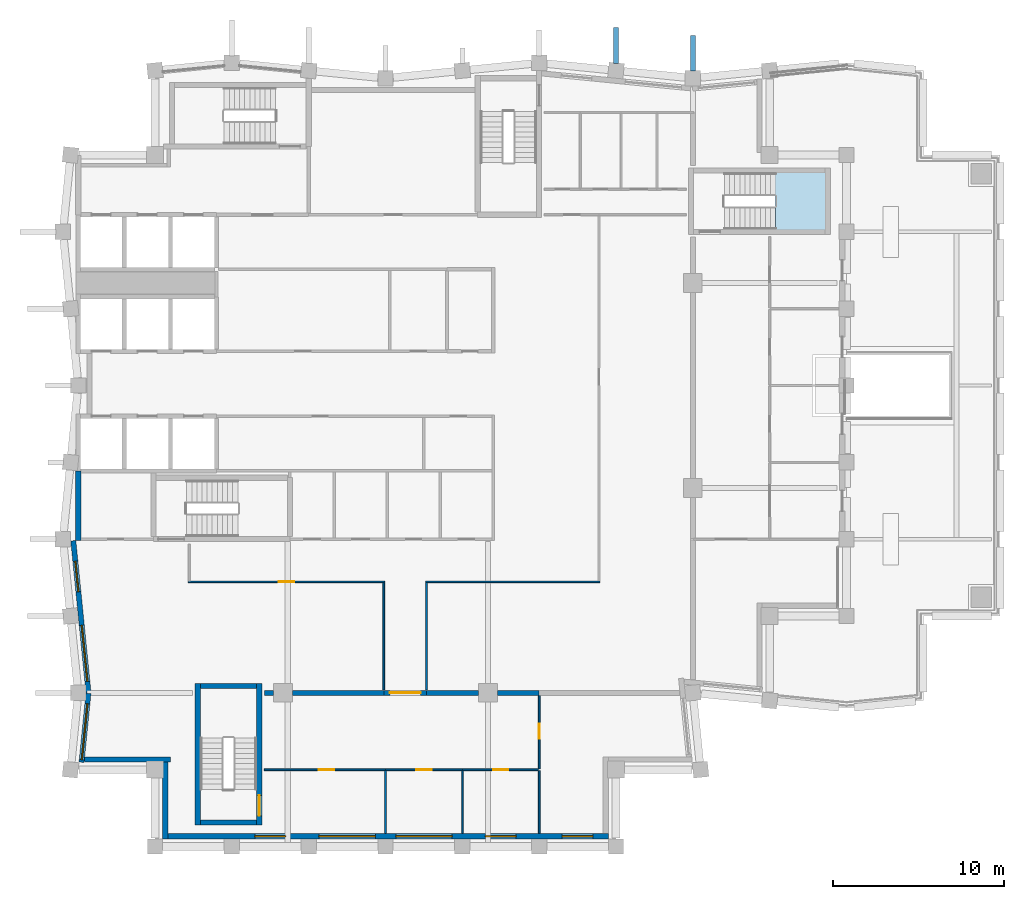
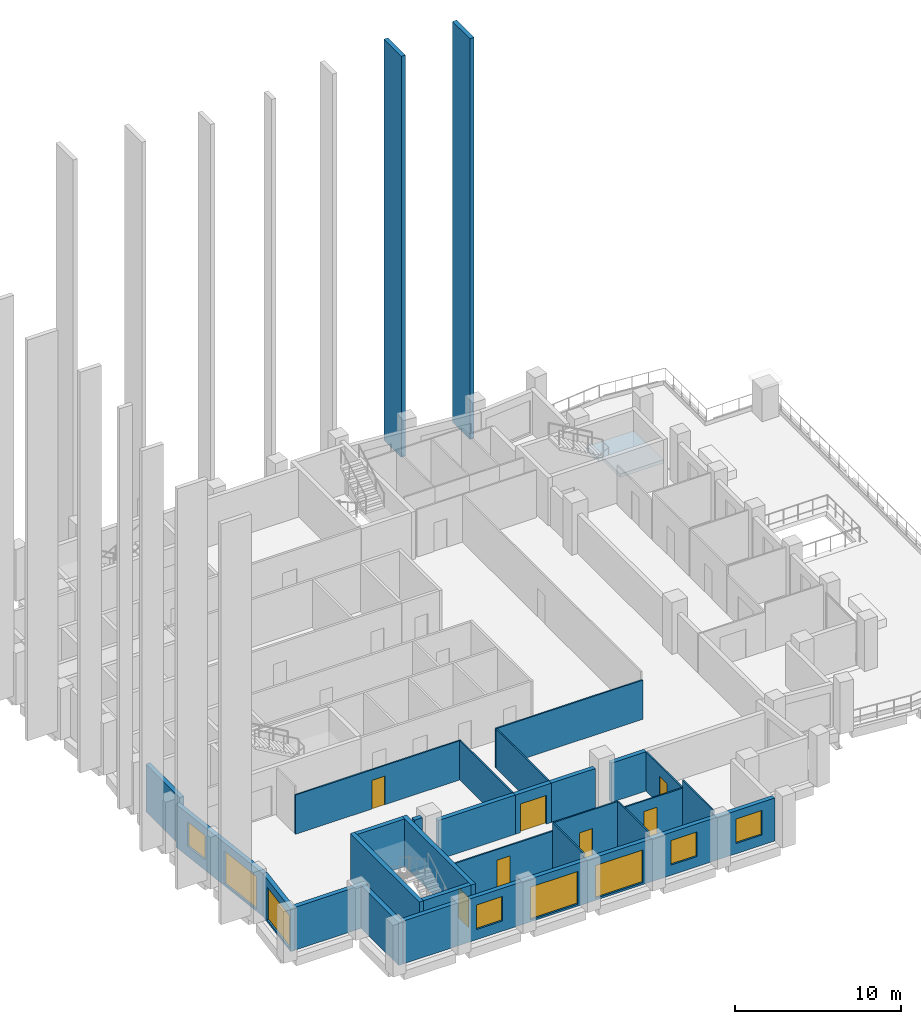
# One storey, part 4 of 11: 26 walls, 8 windows, 7 doors, 2 plates, 1 slab, 15 openings, 1 element without a shape of its own.
"""IFC4 building model written with IfcOpenShell, lengths in metres."""

from ifc_helpers import new_model, si_unit, direction, frame, frame_2d, origin, place, context, subcontext, project, spatial, polyline, rectangle, outline, extrude, material, layer, layer_set, type_object, element, fill, aggregate, save


model = new_model("IFC4")

# Units and contexts
model_context = context("Model", 3, precision=1e-05, world=origin(), true_north=direction((0.0, 1.0)))
body_context = subcontext(model_context, "Body", "Model", "MODEL_VIEW")
ifc_project = project(units=[si_unit("LENGTHUNIT", "METRE"), si_unit("AREAUNIT", "SQUARE_METRE"), si_unit("VOLUMEUNIT", "CUBIC_METRE"), si_unit("PLANEANGLEUNIT", "RADIAN"), si_unit("MASSUNIT", "GRAM", prefix="KILO")], contexts=[model_context])

# Site, building, storey
site_placement = place(None, origin())
site = spatial("IfcSite", under=ifc_project, at=site_placement, CompositionType="ELEMENT")
building_placement = place(site_placement, origin())
building = spatial("IfcBuilding", under=site, at=building_placement, Name="Brondeck Convention Tower", CompositionType="ELEMENT")
storey_placement = place(building_placement, frame((0.0, 0.0, 252.39990234375)))
storey = spatial("IfcBuildingStorey", under=building, at=storey_placement, Name="L62", CompositionType="ELEMENT", Elevation=252.39990234375)

# Stair, slab
ifc_material_1 = material(Name="Precast concrete C50/60", Category="concrete")
stair_type = type_object("IfcStairType", Name="Core stair 22 risers 172.73 mm riser 300 mm going 1350 wide", PredefinedType="HALF_TURN_STAIR", material=ifc_material_1)
stair_placement = place(storey_placement, origin())
stair = element("IfcStair", 1, at=stair_placement, inside=storey, type_object=stair_type, Name="ST-AE L62 stair", PredefinedType="HALF_TURN_STAIR")
ifc_layer_1 = layer(ifc_material_1, 0.25)
ifc_layer_set_1 = layer_set([ifc_layer_1], Name="Core stair landing 250 Precast concrete C50/60")
slab_type = type_object("IfcSlabType", Name="Core stair landing 250 Precast concrete C50/60", PredefinedType="LANDING", material=ifc_layer_set_1)
slab_placement = place(storey_placement, frame((0.0, 0.0, 1.650146484375)))
slab = element("IfcSlab", 2, at=slab_placement, type_object=slab_type, Name="ST-AE landing 1", PredefinedType="LANDING", context=body_context, shape_type="SweptSolid", body=[
    extrude(outline(polyline([(40.847900390625, 55.5), (40.85009765625, 55.5), (40.85009765625, 56.10009765625), (40.550048828125, 56.10009765625), (40.550048828125, 57.570068359375), (43.8701171875, 57.570068359375), (43.8701171875, 54.030029296875), (40.847900390625, 54.030029296875), (40.847900390625, 55.5)])), origin(), (0.0, 0.0, 1.0), 0.25),
])
aggregate(stair, [slab])

# Plates
ifc_layer_2 = layer(ifc_material_1, 0.300048828125)
ifc_layer_set_2 = layer_set([ifc_layer_2], Name="Facade fin FN3 300 x 2100 Precast concrete C50/60")
plate_type = type_object("IfcPlateType", Name="Facade fin FN3 300 x 2100 Precast concrete C50/60", PredefinedType="USERDEFINED", material=ifc_layer_set_2)
plate_1_placement = place(storey_placement, frame((0.0, 0.0, 0.5)))
element("IfcPlate", 3, at=plate_1_placement, inside=storey, type_object=plate_type, Name="ENV-FN-A-N-Z5-07", ObjectType="FIN", PredefinedType="USERDEFINED", context=body_context, shape_type="SweptSolid", body=[
    extrude(outline(polyline([(31.35009765625, 65.9599609375), (31.35009765625, 63.860107421875), (31.64990234375, 63.860107421875), (31.64990234375, 65.9599609375), (31.35009765625, 65.9599609375)])), origin(), (0.0, 0.0, 1.0), 29.400146484375),
])
plate_2_placement = place(storey_placement, frame((0.0, 0.0, 0.5)))
element("IfcPlate", 4, at=plate_2_placement, inside=storey, type_object=plate_type, Name="ENV-FN-A-N-Z5-08", ObjectType="FIN", PredefinedType="USERDEFINED", context=body_context, shape_type="SweptSolid", body=[
    extrude(outline(polyline([(35.85009765625, 65.510009765625), (35.85009765625, 63.409912109375), (36.14990234375, 63.409912109375), (36.14990234375, 65.510009765625), (35.85009765625, 65.510009765625)])), origin(), (0.0, 0.0, 1.0), 29.400146484375),
])

# Walls
ifc_material_2 = material(Name="Concrete compartment wall C30/37", Category="concrete")
ifc_layer_3 = layer(ifc_material_2, 0.300048828125)
ifc_layer_set_3 = layer_set([ifc_layer_3], Name="Compartment wall 300")
wall_type_1 = type_object("IfcWallType", Name="Compartment wall 300", PredefinedType="PARTITIONING", material=ifc_layer_set_3)
wall_1_placement = place(storey_placement, frame((10.89990234375, 27.0, 0.0), z_axis=(0.0, 0.0, 1.0), x_axis=(1.0, 0.0, 0.0)))
element("IfcWall", 5, at=wall_1_placement, inside=storey, type_object=wall_type_1, Name="FLR-L62-W013", PredefinedType="PARTITIONING", context=body_context, shape_type="SweptSolid", body=[
    extrude(rectangle(XDim=0.545166015625, YDim=0.300048828125, at=frame_2d((0.2724609375, 0.0))), origin(), (0.0, 0.0, 1.0), 3.47998046875),
])
wall_2_placement = place(storey_placement, frame((12.554931640625, 27.0, 0.0), z_axis=(0.0, 0.0, 1.0), x_axis=(1.0, 0.0, 0.0)))
element("IfcWall", 6, at=wall_2_placement, inside=storey, type_object=wall_type_1, Name="FLR-L62-W014", PredefinedType="PARTITIONING", context=body_context, shape_type="SweptSolid", body=[
    extrude(rectangle(XDim=5.344970703125, YDim=0.300048828125, at=frame_2d((2.67236328125, 0.0))), origin(), (0.0, 0.0, 1.0), 2.880126953125),
])

# Wall, opening, door
wall_3_placement = place(storey_placement, frame((20.39990234375, 27.0, 0.0), z_axis=(0.0, 0.0, 1.0), x_axis=(-1.0, 0.0, 0.0)))
wall_3 = element("IfcWall", 7, at=wall_3_placement, inside=storey, type_object=wall_type_1, Name="FLR-L62-W015", PredefinedType="PARTITIONING", context=body_context, shape_type="SweptSolid", body=[
    extrude(rectangle(XDim=2.5, YDim=0.300048828125, at=frame_2d((1.25, 0.0))), origin(), (0.0, 0.0, 1.0), 2.880126953125),
])
opening_1_placement = place(wall_3_placement, frame((0.35009765625, 0.0, 0.0)))
opening_1 = element("IfcOpeningElement", 8, at=opening_1_placement, cuts=wall_3, Name="Opening EX-A-017", PredefinedType="OPENING", context=body_context, shape_type="SweptSolid", body=[
    extrude(rectangle(XDim=1.800048828125, YDim=2.10009765625, at=frame_2d((0.89990234375, 1.050048828125))), frame((0.0, 0.159912109375, 0.0), z_axis=(0.0, -1.0, 0.0), x_axis=(1.0, 0.0, 0.0)), (0.0, 0.0, 1.0), 0.320068359375),
])
ifc_material_3 = material(Name="Steel fire door pair", Category="steel")
door_type_1 = type_object("IfcDoorType", Name="Fire door pair 1800", OperationType="DOUBLE_DOOR_SINGLE_SWING", PredefinedType="DOOR", material=ifc_material_3)
door_1_placement = place(opening_1_placement, origin())
door_1 = element("IfcDoor", 9, at=door_1_placement, inside=storey, type_object=door_type_1, Name="Door EX-A-017", OperationType="DOUBLE_DOOR_SINGLE_SWING", OverallHeight=2.10009765625, OverallWidth=1.800048828125, PredefinedType="DOOR", context=body_context, shape_type="SweptSolid", body=[
    extrude(rectangle(XDim=1.800048828125, YDim=2.10009765625, at=frame_2d((0.89990234375, 1.050048828125))), frame((0.0, 0.02490234375, 0.0), z_axis=(0.0, -1.0, 0.0), x_axis=(1.0, 0.0, 0.0)), (0.0, 0.0, 1.0), 0.050048828125),
])
fill(opening_1, door_1)

# Walls
wall_4_placement = place(storey_placement, frame((20.39990234375, 27.0, 0.0), z_axis=(0.0, 0.0, 1.0), x_axis=(1.0, 0.0, 0.0)))
element("IfcWall", 10, at=wall_4_placement, inside=storey, type_object=wall_type_1, Name="FLR-L62-W016", PredefinedType="PARTITIONING", context=body_context, shape_type="SweptSolid", body=[
    extrude(rectangle(XDim=3.045166015625, YDim=0.300048828125, at=frame_2d((1.5224609375, 0.0))), origin(), (0.0, 0.0, 1.0), 2.880126953125),
])
wall_5_placement = place(storey_placement, frame((24.554931640625, 27.0, 0.0), z_axis=(0.0, 0.0, 1.0), x_axis=(1.0, 0.0, 0.0)))
element("IfcWall", 11, at=wall_5_placement, inside=storey, type_object=wall_type_1, Name="FLR-L62-W017", PredefinedType="PARTITIONING", context=body_context, shape_type="SweptSolid", body=[
    extrude(rectangle(XDim=2.445068359375, YDim=0.300048828125, at=frame_2d((1.22265625, 0.0))), origin(), (0.0, 0.0, 1.0), 2.880126953125),
])
ifc_material_4 = material(Name="Concrete C50/60", Category="concrete")
ifc_layer_4 = layer(ifc_material_4, 0.300048828125)
ifc_layer_set_4 = layer_set([ifc_layer_4], Name="Core outer wall 300 Concrete C50/60")
wall_type_2 = type_object("IfcWallType", Name="Core outer wall 300 Concrete C50/60", PredefinedType="SHEAR", material=ifc_layer_set_4)
wall_6_placement = place(storey_placement, frame((0.0, 35.925048828125, 0.0), z_axis=(0.0, 0.0, 1.0), x_axis=(0.0, 1.0, 0.0)))
element("IfcWall", 12, at=wall_6_placement, inside=storey, type_object=wall_type_2, Name="L62 core wall", PredefinedType="SHEAR", context=body_context, shape_type="SweptSolid", body=[
    extrude(rectangle(XDim=4.074951171875, YDim=0.300048828125, at=frame_2d((2.03759765625, 0.0))), origin(), (0.0, 0.0, 1.0), 3.5),
])

# Wall, openings, windows
ifc_material_5 = material(Name="Precast concrete C50/60 bronze finish", Category="concrete")
ifc_layer_5 = layer(ifc_material_5, 0.070068359375, Name="Bronze precast facing")
ifc_material_6 = material(Name="Mineral wool")
ifc_layer_6 = layer(ifc_material_6, 0.159912109375, Name="Insulation")
ifc_material_7 = material(Name="Concrete C35/45", Category="concrete")
ifc_layer_7 = layer(ifc_material_7, 0.070068359375, Name="Backing")
ifc_layer_set_5 = layer_set([ifc_layer_5, ifc_layer_6, ifc_layer_7], Name="External infill wall, precast concrete C50/60 bronze facing")
wall_type_3 = type_object("IfcWallType", Name="External infill wall, precast concrete C50/60 bronze facing", PredefinedType="SOLIDWALL", material=ifc_layer_set_5)
wall_7_placement = place(storey_placement, frame((31.050048828125, 18.60009765625, 0.0), z_axis=(0.0, 0.0, 1.0), x_axis=(-1.0, 0.0, 0.0)))
wall_7 = element("IfcWall", 13, at=wall_7_placement, inside=storey, type_object=wall_type_3, Name="ENV-EW-L62-P3-B-S18-01", PredefinedType="SOLIDWALL", context=body_context, shape_type="SweptSolid", body=[
    extrude(rectangle(XDim=25.800048828125, YDim=0.300048828125, at=frame_2d((12.89990234375, 0.0))), origin(), (0.0, 0.0, 1.0), 3.150146484375),
])
opening_2_placement = place(wall_7_placement, frame((0.89990234375, 0.0, 0.75)))
opening_2 = element("IfcOpeningElement", 14, at=opening_2_placement, cuts=wall_7, Name="Opening W10", PredefinedType="OPENING", context=body_context, shape_type="SweptSolid", body=[
    extrude(rectangle(XDim=1.800048828125, YDim=1.800048828125, at=frame_2d((0.89990234375, 0.89990234375))), frame((0.0, 0.159912109375, 0.0), z_axis=(0.0, -1.0, 0.0), x_axis=(1.0, 0.0, 0.0)), (0.0, 0.0, 1.0), 0.320068359375),
])
opening_3_placement = place(wall_7_placement, frame((5.39990234375, 0.0, 0.75)))
opening_3 = element("IfcOpeningElement", 15, at=opening_3_placement, cuts=wall_7, Name="Opening W10", PredefinedType="OPENING", context=body_context, shape_type="SweptSolid", body=[
    extrude(rectangle(XDim=1.800048828125, YDim=1.800048828125, at=frame_2d((0.89990234375, 0.89990234375))), frame((0.0, 0.159912109375, 0.0), z_axis=(0.0, -1.0, 0.0), x_axis=(1.0, 0.0, 0.0)), (0.0, 0.0, 1.0), 0.320068359375),
])
opening_4_placement = place(wall_7_placement, frame((9.14990234375, 0.0, 0.14990234375)))
opening_4 = element("IfcOpeningElement", 16, at=opening_4_placement, cuts=wall_7, Name="Opening W9", PredefinedType="OPENING", context=body_context, shape_type="SweptSolid", body=[
    extrude(rectangle(XDim=3.300048828125, YDim=2.39990234375, at=frame_2d((1.64990234375, 1.199951171875))), frame((0.0, 0.159912109375, 0.0), z_axis=(0.0, -1.0, 0.0), x_axis=(1.0, 0.0, 0.0)), (0.0, 0.0, 1.0), 0.320068359375),
])
opening_5_placement = place(wall_7_placement, frame((13.64990234375, 0.0, 0.14990234375)))
opening_5 = element("IfcOpeningElement", 17, at=opening_5_placement, cuts=wall_7, Name="Opening W9", PredefinedType="OPENING", context=body_context, shape_type="SweptSolid", body=[
    extrude(rectangle(XDim=3.300048828125, YDim=2.39990234375, at=frame_2d((1.64990234375, 1.199951171875))), frame((0.0, 0.159912109375, 0.0), z_axis=(0.0, -1.0, 0.0), x_axis=(1.0, 0.0, 0.0)), (0.0, 0.0, 1.0), 0.320068359375),
])
opening_6_placement = place(wall_7_placement, frame((18.89990234375, 0.0, 0.75)))
opening_6 = element("IfcOpeningElement", 18, at=opening_6_placement, cuts=wall_7, Name="Opening W10", PredefinedType="OPENING", context=body_context, shape_type="SweptSolid", body=[
    extrude(rectangle(XDim=1.800048828125, YDim=1.800048828125, at=frame_2d((0.89990234375, 0.89990234375))), frame((0.0, 0.159912109375, 0.0), z_axis=(0.0, -1.0, 0.0), x_axis=(1.0, 0.0, 0.0)), (0.0, 0.0, 1.0), 0.320068359375),
])
ifc_material_8 = material(Name="Bronze tinted double glazing", Category="glass")
window_type_1 = type_object("IfcWindowType", Name="Glazed flute window, bronze tinted", PartitioningType="SINGLE_PANEL", PredefinedType="WINDOW", material=ifc_material_8)
window_1_placement = place(opening_4_placement, origin())
window_1 = element("IfcWindow", 19, at=window_1_placement, inside=storey, type_object=window_type_1, Name="ENV-WN-L62-P3-B-S18-04", OverallHeight=2.39990234375, OverallWidth=3.300048828125, PartitioningType="SINGLE_PANEL", PredefinedType="WINDOW", context=body_context, shape_type="SweptSolid", body=[
    extrude(rectangle(XDim=3.300048828125, YDim=2.39990234375, at=frame_2d((1.64990234375, 1.199951171875))), frame((0.0, 0.030029296875, 0.0), z_axis=(0.0, -1.0, 0.0), x_axis=(1.0, 0.0, 0.0)), (0.0, 0.0, 1.0), 0.06005859375),
])
fill(opening_4, window_1)
window_2_placement = place(opening_5_placement, origin())
window_2 = element("IfcWindow", 20, at=window_2_placement, inside=storey, type_object=window_type_1, Name="ENV-WN-L62-P3-B-S18-03", OverallHeight=2.39990234375, OverallWidth=3.300048828125, PartitioningType="SINGLE_PANEL", PredefinedType="WINDOW", context=body_context, shape_type="SweptSolid", body=[
    extrude(rectangle(XDim=3.300048828125, YDim=2.39990234375, at=frame_2d((1.64990234375, 1.199951171875))), frame((0.0, 0.030029296875, 0.0), z_axis=(0.0, -1.0, 0.0), x_axis=(1.0, 0.0, 0.0)), (0.0, 0.0, 1.0), 0.06005859375),
])
fill(opening_5, window_2)
window_type_2 = type_object("IfcWindowType", Name="Punched window, bronze tinted", PartitioningType="SINGLE_PANEL", PredefinedType="WINDOW", material=ifc_material_8)
window_3_placement = place(opening_2_placement, origin())
window_3 = element("IfcWindow", 21, at=window_3_placement, inside=storey, type_object=window_type_2, Name="ENV-WN-L62-P3-B-S18-06", OverallHeight=1.800048828125, OverallWidth=1.800048828125, PartitioningType="SINGLE_PANEL", PredefinedType="WINDOW", context=body_context, shape_type="SweptSolid", body=[
    extrude(rectangle(XDim=1.800048828125, YDim=1.800048828125, at=frame_2d((0.89990234375, 0.89990234375))), frame((0.0, 0.030029296875, 0.0), z_axis=(0.0, -1.0, 0.0), x_axis=(1.0, 0.0, 0.0)), (0.0, 0.0, 1.0), 0.06005859375),
])
fill(opening_2, window_3)
window_4_placement = place(opening_3_placement, origin())
window_4 = element("IfcWindow", 22, at=window_4_placement, inside=storey, type_object=window_type_2, Name="ENV-WN-L62-P3-B-S18-05", OverallHeight=1.800048828125, OverallWidth=1.800048828125, PartitioningType="SINGLE_PANEL", PredefinedType="WINDOW", context=body_context, shape_type="SweptSolid", body=[
    extrude(rectangle(XDim=1.800048828125, YDim=1.800048828125, at=frame_2d((0.89990234375, 0.89990234375))), frame((0.0, 0.030029296875, 0.0), z_axis=(0.0, -1.0, 0.0), x_axis=(1.0, 0.0, 0.0)), (0.0, 0.0, 1.0), 0.06005859375),
])
fill(opening_3, window_4)
window_5_placement = place(opening_6_placement, origin())
window_5 = element("IfcWindow", 23, at=window_5_placement, inside=storey, type_object=window_type_2, Name="ENV-WN-L62-P3-B-S18-02", OverallHeight=1.800048828125, OverallWidth=1.800048828125, PartitioningType="SINGLE_PANEL", PredefinedType="WINDOW", context=body_context, shape_type="SweptSolid", body=[
    extrude(rectangle(XDim=1.800048828125, YDim=1.800048828125, at=frame_2d((0.89990234375, 0.89990234375))), frame((0.0, 0.030029296875, 0.0), z_axis=(0.0, -1.0, 0.0), x_axis=(1.0, 0.0, 0.0)), (0.0, 0.0, 1.0), 0.06005859375),
])
fill(opening_6, window_5)

wall_8_placement = place(storey_placement, frame((0.6044921875, 26.985107421875, 0.0), z_axis=(0.0, 0.0, 1.0), x_axis=(-0.099509108728, 0.995036651225, 0.0)))
wall_8 = element("IfcWall", 24, at=wall_8_placement, inside=storey, type_object=wall_type_3, Name="ENV-EW-L62-P3-B-W-06", PredefinedType="SOLIDWALL", context=body_context, shape_type="SweptSolid", body=[
    extrude(rectangle(XDim=8.9697265625, YDim=0.300048828125, at=frame_2d((4.48486328125, 0.0))), origin(), (0.0, 0.0, 1.0), 3.150146484375),
])
opening_7_placement = place(wall_8_placement, frame((0.686279296875, 0.0, 0.14990234375)))
opening_7 = element("IfcOpeningElement", 25, at=opening_7_placement, cuts=wall_8, Name="Opening W9", PredefinedType="OPENING", context=body_context, shape_type="SweptSolid", body=[
    extrude(rectangle(XDim=3.300048828125, YDim=2.39990234375, at=frame_2d((1.64990234375, 1.199951171875))), frame((0.0, 0.159912109375, 0.0), z_axis=(0.0, -1.0, 0.0), x_axis=(1.0, 0.0, 0.0)), (0.0, 0.0, 1.0), 0.320068359375),
])
opening_8_placement = place(wall_8_placement, frame((5.95849609375, 0.0, 0.75)))
opening_8 = element("IfcOpeningElement", 26, at=opening_8_placement, cuts=wall_8, Name="Opening W10", PredefinedType="OPENING", context=body_context, shape_type="SweptSolid", body=[
    extrude(rectangle(XDim=1.800048828125, YDim=1.800048828125, at=frame_2d((0.89990234375, 0.89990234375))), frame((0.0, 0.159912109375, 0.0), z_axis=(0.0, -1.0, 0.0), x_axis=(1.0, 0.0, 0.0)), (0.0, 0.0, 1.0), 0.320068359375),
])
window_6_placement = place(opening_7_placement, origin())
window_6 = element("IfcWindow", 27, at=window_6_placement, inside=storey, type_object=window_type_1, Name="ENV-WN-L62-P3-B-W-07", OverallHeight=2.39990234375, OverallWidth=3.300048828125, PartitioningType="SINGLE_PANEL", PredefinedType="WINDOW", context=body_context, shape_type="SweptSolid", body=[
    extrude(rectangle(XDim=3.300048828125, YDim=2.39990234375, at=frame_2d((1.64990234375, 1.199951171875))), frame((0.0, 0.030029296875, 0.0), z_axis=(0.0, -1.0, 0.0), x_axis=(1.0, 0.0, 0.0)), (0.0, 0.0, 1.0), 0.06005859375),
])
fill(opening_7, window_6)
window_7_placement = place(opening_8_placement, origin())
window_7 = element("IfcWindow", 28, at=window_7_placement, inside=storey, type_object=window_type_2, Name="ENV-WN-L62-P3-B-W-06", OverallHeight=1.800048828125, OverallWidth=1.800048828125, PartitioningType="SINGLE_PANEL", PredefinedType="WINDOW", context=body_context, shape_type="SweptSolid", body=[
    extrude(rectangle(XDim=1.800048828125, YDim=1.800048828125, at=frame_2d((0.89990234375, 0.89990234375))), frame((0.0, 0.030029296875, 0.0), z_axis=(0.0, -1.0, 0.0), x_axis=(1.0, 0.0, 0.0)), (0.0, 0.0, 1.0), 0.06005859375),
])
fill(opening_8, window_7)

# Wall, opening, window
wall_9_placement = place(storey_placement, frame((0.196533203125, 22.93505859375, 0.0), z_axis=(0.0, 0.0, 1.0), x_axis=(0.09951564041, 0.995035997999, 0.0)))
wall_9 = element("IfcWall", 29, at=wall_9_placement, inside=storey, type_object=wall_type_3, Name="ENV-EW-L62-P3-B-W-08", PredefinedType="SOLIDWALL", context=body_context, shape_type="SweptSolid", body=[
    extrude(rectangle(XDim=4.05517578125, YDim=0.300048828125, at=frame_2d((2.027587890625, 0.0))), origin(), (0.0, 0.0, 1.0), 3.150146484375),
])
opening_9_placement = place(wall_9_placement, frame((0.14990234375, 0.0, 0.14990234375)))
opening_9 = element("IfcOpeningElement", 30, at=opening_9_placement, cuts=wall_9, Name="Opening W9", PredefinedType="OPENING", context=body_context, shape_type="SweptSolid", body=[
    extrude(rectangle(XDim=3.300048828125, YDim=2.39990234375, at=frame_2d((1.64990234375, 1.199951171875))), frame((0.0, 0.159912109375, 0.0), z_axis=(0.0, -1.0, 0.0), x_axis=(1.0, 0.0, 0.0)), (0.0, 0.0, 1.0), 0.320068359375),
])
window_8_placement = place(opening_9_placement, origin())
window_8 = element("IfcWindow", 31, at=window_8_placement, inside=storey, type_object=window_type_1, Name="ENV-WN-L62-P3-B-W-08", OverallHeight=2.39990234375, OverallWidth=3.300048828125, PartitioningType="SINGLE_PANEL", PredefinedType="WINDOW", context=body_context, shape_type="SweptSolid", body=[
    extrude(rectangle(XDim=3.300048828125, YDim=2.39990234375, at=frame_2d((1.64990234375, 1.199951171875))), frame((0.0, 0.030029296875, 0.0), z_axis=(0.0, -1.0, 0.0), x_axis=(1.0, 0.0, 0.0)), (0.0, 0.0, 1.0), 0.06005859375),
])
fill(opening_9, window_8)

# Walls
wall_10_placement = place(storey_placement, frame((5.39990234375, 23.10009765625, 0.0), z_axis=(0.0, 0.0, 1.0), x_axis=(-1.0, 0.0, 0.0)))
element("IfcWall", 32, at=wall_10_placement, inside=storey, type_object=wall_type_3, Name="ENV-EW-L62-P3-NC-SWB18-01", PredefinedType="SOLIDWALL", context=body_context, shape_type="SweptSolid", body=[
    extrude(rectangle(XDim=5.031005859375, YDim=0.300048828125, at=frame_2d((2.515625, 0.0))), origin(), (0.0, 0.0, 1.0), 3.150146484375),
])
wall_11_placement = place(storey_placement, frame((5.10009765625, 18.449951171875, 0.0), z_axis=(0.0, 0.0, 1.0), x_axis=(0.0, 1.0, 0.0)))
element("IfcWall", 33, at=wall_11_placement, inside=storey, type_object=wall_type_3, Name="ENV-EW-L62-P3-NC-SWB18-02", PredefinedType="SOLIDWALL", context=body_context, shape_type="SweptSolid", body=[
    extrude(rectangle(XDim=4.5, YDim=0.300048828125, at=frame_2d((2.25, 0.0))), origin(), (0.0, 0.0, 1.0), 3.150146484375),
])
ifc_material_9 = material(Name="Gypsum board partition on steel studs", Category="steel")
ifc_layer_8 = layer(ifc_material_9, 0.10009765625)
ifc_layer_set_6 = layer_set([ifc_layer_8], Name="Room partition 100")
wall_type_4 = type_object("IfcWallType", Name="Room partition 100", PredefinedType="PARTITIONING", material=ifc_layer_set_6)
for number, where, z_axis, x_axis, name in (
    (34, (18.0, 18.77001953125, 0.0), (0.0, 0.0, 1.0), (0.0, 1.0, 0.0), "FLR-L62-W001"),
    (35, (22.5, 18.77001953125, 0.0), (0.0, 0.0, 1.0), (0.0, 1.0, 0.0), "FLR-L62-W002"),
    (36, (27.0, 22.449951171875, 0.0), (0.0, 0.0, 1.0), (0.0, -1.0, 0.0), "FLR-L62-W005"),
):
    element("IfcWall", number, at=place(storey_placement, frame(where, z_axis=z_axis, x_axis=x_axis)), inside=storey, type_object=wall_type_4, Name=name, PredefinedType="PARTITIONING", context=body_context, shape_type="SweptSolid", body=[
        extrude(rectangle(XDim=3.679931640625, YDim=0.10009765625, at=frame_2d((1.83984375, 0.0))), origin(), (0.0, 0.0, 1.0), 3.47998046875),
    ])

# Wall, opening, door
wall_12_placement = place(storey_placement, frame((18.0, 22.5, 0.0), z_axis=(0.0, 0.0, 1.0), x_axis=(-1.0, 0.0, 0.0)))
wall_12 = element("IfcWall", 37, at=wall_12_placement, inside=storey, type_object=wall_type_4, Name="FLR-L62-W006", PredefinedType="PARTITIONING", context=body_context, shape_type="SweptSolid", body=[
    extrude(rectangle(XDim=7.10009765625, YDim=0.10009765625, at=frame_2d((3.550048828125, 0.0))), origin(), (0.0, 0.0, 1.0), 2.880126953125),
])
opening_10_placement = place(wall_12_placement, frame((3.0, 0.0, 0.0)))
opening_10 = element("IfcOpeningElement", 38, at=opening_10_placement, cuts=wall_12, Name="Opening EX-A-008", PredefinedType="OPENING", context=body_context, shape_type="SweptSolid", body=[
    extrude(rectangle(XDim=0.89990234375, YDim=2.10009765625, at=frame_2d((0.449951171875, 1.050048828125))), frame((0.0, 0.06005859375, 0.0), z_axis=(0.0, -1.0, 0.0), x_axis=(1.0, 0.0, 0.0)), (0.0, 0.0, 1.0), 0.1201171875),
])
ifc_material_10 = material(Name="Solid timber door leaf", Category="wood")
door_type_2 = type_object("IfcDoorType", Name="Single door 900", OperationType="NOTDEFINED", PredefinedType="DOOR", material=ifc_material_10)
door_2_placement = place(opening_10_placement, origin())
door_2 = element("IfcDoor", 39, at=door_2_placement, inside=storey, type_object=door_type_2, Name="Door EX-A-008", OperationType="SINGLE_SWING_LEFT", OverallHeight=2.10009765625, OverallWidth=0.89990234375, PredefinedType="DOOR", context=body_context, shape_type="SweptSolid", body=[
    extrude(rectangle(XDim=0.89990234375, YDim=2.10009765625, at=frame_2d((0.449951171875, 1.050048828125))), frame((0.0, 0.02490234375, 0.0), z_axis=(0.0, -1.0, 0.0), x_axis=(1.0, 0.0, 0.0)), (0.0, 0.0, 1.0), 0.050048828125),
])
fill(opening_10, door_2)

wall_13_placement = place(storey_placement, frame((22.5, 22.5, 0.0), z_axis=(0.0, 0.0, 1.0), x_axis=(-1.0, 0.0, 0.0)))
wall_13 = element("IfcWall", 40, at=wall_13_placement, inside=storey, type_object=wall_type_4, Name="FLR-L62-W007", PredefinedType="PARTITIONING", context=body_context, shape_type="SweptSolid", body=[
    extrude(rectangle(XDim=4.5, YDim=0.10009765625, at=frame_2d((2.25, 0.0))), origin(), (0.0, 0.0, 1.0), 3.47998046875),
])
opening_11_placement = place(wall_13_placement, frame((1.800048828125, 0.0, 0.0)))
opening_11 = element("IfcOpeningElement", 41, at=opening_11_placement, cuts=wall_13, Name="Opening EX-A-007", PredefinedType="OPENING", context=body_context, shape_type="SweptSolid", body=[
    extrude(rectangle(XDim=0.89990234375, YDim=2.10009765625, at=frame_2d((0.449951171875, 1.050048828125))), frame((0.0, 0.06005859375, 0.0), z_axis=(0.0, -1.0, 0.0), x_axis=(1.0, 0.0, 0.0)), (0.0, 0.0, 1.0), 0.1201171875),
])
door_3_placement = place(opening_11_placement, origin())
door_3 = element("IfcDoor", 42, at=door_3_placement, inside=storey, type_object=door_type_2, Name="Door EX-A-007", OperationType="SINGLE_SWING_LEFT", OverallHeight=2.10009765625, OverallWidth=0.89990234375, PredefinedType="DOOR", context=body_context, shape_type="SweptSolid", body=[
    extrude(rectangle(XDim=0.89990234375, YDim=2.10009765625, at=frame_2d((0.449951171875, 1.050048828125))), frame((0.0, 0.02490234375, 0.0), z_axis=(0.0, -1.0, 0.0), x_axis=(1.0, 0.0, 0.0)), (0.0, 0.0, 1.0), 0.050048828125),
])
fill(opening_11, door_3)

wall_14_placement = place(storey_placement, frame((26.949951171875, 22.5, 0.0), z_axis=(0.0, 0.0, 1.0), x_axis=(-1.0, 0.0, 0.0)))
wall_14 = element("IfcWall", 43, at=wall_14_placement, inside=storey, type_object=wall_type_4, Name="FLR-L62-W008", PredefinedType="PARTITIONING", context=body_context, shape_type="SweptSolid", body=[
    extrude(rectangle(XDim=4.449951171875, YDim=0.10009765625, at=frame_2d((2.22509765625, 0.0))), origin(), (0.0, 0.0, 1.0), 2.880126953125),
])
opening_12_placement = place(wall_14_placement, frame((1.75, 0.0, 0.0)))
opening_12 = element("IfcOpeningElement", 44, at=opening_12_placement, cuts=wall_14, Name="Opening EX-A-006", PredefinedType="OPENING", context=body_context, shape_type="SweptSolid", body=[
    extrude(rectangle(XDim=0.89990234375, YDim=2.10009765625, at=frame_2d((0.449951171875, 1.050048828125))), frame((0.0, 0.06005859375, 0.0), z_axis=(0.0, -1.0, 0.0), x_axis=(1.0, 0.0, 0.0)), (0.0, 0.0, 1.0), 0.1201171875),
])
door_4_placement = place(opening_12_placement, origin())
door_4 = element("IfcDoor", 45, at=door_4_placement, inside=storey, type_object=door_type_2, Name="Door EX-A-006", OperationType="SINGLE_SWING_LEFT", OverallHeight=2.10009765625, OverallWidth=0.89990234375, PredefinedType="DOOR", context=body_context, shape_type="SweptSolid", body=[
    extrude(rectangle(XDim=0.89990234375, YDim=2.10009765625, at=frame_2d((0.449951171875, 1.050048828125))), frame((0.0, 0.02490234375, 0.0), z_axis=(0.0, -1.0, 0.0), x_axis=(1.0, 0.0, 0.0)), (0.0, 0.0, 1.0), 0.050048828125),
])
fill(opening_12, door_4)

wall_15_placement = place(storey_placement, frame((27.0, 26.830078125, 0.0), z_axis=(0.0, 0.0, 1.0), x_axis=(0.0, -1.0, 0.0)))
wall_15 = element("IfcWall", 46, at=wall_15_placement, inside=storey, type_object=wall_type_4, Name="FLR-L62-W011", PredefinedType="PARTITIONING", context=body_context, shape_type="SweptSolid", body=[
    extrude(rectangle(XDim=4.280029296875, YDim=0.10009765625, at=frame_2d((2.14013671875, 0.0))), origin(), (0.0, 0.0, 1.0), 2.880126953125),
])
opening_13_placement = place(wall_15_placement, frame((1.6298828125, 0.0, 0.0)))
opening_13 = element("IfcOpeningElement", 47, at=opening_13_placement, cuts=wall_15, Name="Opening EX-A-009", PredefinedType="OPENING", context=body_context, shape_type="SweptSolid", body=[
    extrude(rectangle(XDim=0.89990234375, YDim=2.10009765625, at=frame_2d((0.449951171875, 1.050048828125))), frame((0.0, 0.06005859375, 0.0), z_axis=(0.0, -1.0, 0.0), x_axis=(1.0, 0.0, 0.0)), (0.0, 0.0, 1.0), 0.1201171875),
])
door_5_placement = place(opening_13_placement, origin())
door_5 = element("IfcDoor", 48, at=door_5_placement, inside=storey, type_object=door_type_2, Name="Door EX-A-009", OperationType="SINGLE_SWING_LEFT", OverallHeight=2.10009765625, OverallWidth=0.89990234375, PredefinedType="DOOR", context=body_context, shape_type="SweptSolid", body=[
    extrude(rectangle(XDim=0.89990234375, YDim=2.10009765625, at=frame_2d((0.449951171875, 1.050048828125))), frame((0.0, 0.02490234375, 0.0), z_axis=(0.0, -1.0, 0.0), x_axis=(1.0, 0.0, 0.0)), (0.0, 0.0, 1.0), 0.050048828125),
])
fill(opening_13, door_5)

# Walls
for number, where, z_axis, x_axis, name in (
    (49, (17.89990234375, 27.169921875, 0.0), (0.0, 0.0, 1.0), (0.0, 1.0, 0.0), "FLR-L62-W019"),
    (50, (20.39990234375, 33.449951171875, 0.0), (0.0, 0.0, 1.0), (0.0, -1.0, 0.0), "FLR-L62-W023"),
):
    element("IfcWall", number, at=place(storey_placement, frame(where, z_axis=z_axis, x_axis=x_axis)), inside=storey, type_object=wall_type_4, Name=name, PredefinedType="PARTITIONING", context=body_context, shape_type="SweptSolid", body=[
        extrude(rectangle(XDim=6.280029296875, YDim=0.10009765625, at=frame_2d((3.14013671875, 0.0))), origin(), (0.0, 0.0, 1.0), 2.880126953125),
    ])

# Wall, opening, door
wall_16_placement = place(storey_placement, frame((17.949951171875, 33.5, 0.0), z_axis=(0.0, 0.0, 1.0), x_axis=(-1.0, 0.0, 0.0)))
wall_16 = element("IfcWall", 51, at=wall_16_placement, inside=storey, type_object=wall_type_4, Name="FLR-L62-W024", PredefinedType="PARTITIONING", context=body_context, shape_type="SweptSolid", body=[
    extrude(rectangle(XDim=11.5, YDim=0.10009765625, at=frame_2d((5.75, 0.0))), origin(), (0.0, 0.0, 1.0), 2.880126953125),
])
opening_14_placement = place(wall_16_placement, frame((5.300048828125, 0.0, 0.0)))
opening_14 = element("IfcOpeningElement", 52, at=opening_14_placement, cuts=wall_16, Name="Opening EX-A-015", PredefinedType="OPENING", context=body_context, shape_type="SweptSolid", body=[
    extrude(rectangle(XDim=0.89990234375, YDim=2.10009765625, at=frame_2d((0.449951171875, 1.050048828125))), frame((0.0, 0.06005859375, 0.0), z_axis=(0.0, -1.0, 0.0), x_axis=(1.0, 0.0, 0.0)), (0.0, 0.0, 1.0), 0.1201171875),
])
door_6_placement = place(opening_14_placement, origin())
door_6 = element("IfcDoor", 53, at=door_6_placement, inside=storey, type_object=door_type_2, Name="Door EX-A-015", OperationType="SINGLE_SWING_LEFT", OverallHeight=2.10009765625, OverallWidth=0.89990234375, PredefinedType="DOOR", context=body_context, shape_type="SweptSolid", body=[
    extrude(rectangle(XDim=0.89990234375, YDim=2.10009765625, at=frame_2d((0.449951171875, 1.050048828125))), frame((0.0, 0.02490234375, 0.0), z_axis=(0.0, -1.0, 0.0), x_axis=(1.0, 0.0, 0.0)), (0.0, 0.0, 1.0), 0.050048828125),
])
fill(opening_14, door_6)

# Walls
wall_17_placement = place(storey_placement, frame((30.550048828125, 33.5, 0.0), z_axis=(0.0, 0.0, 1.0), x_axis=(-1.0, 0.0, 0.0)))
element("IfcWall", 54, at=wall_17_placement, inside=storey, type_object=wall_type_4, Name="FLR-L62-W025", PredefinedType="PARTITIONING", context=body_context, shape_type="SweptSolid", body=[
    extrude(rectangle(XDim=10.199951171875, YDim=0.10009765625, at=frame_2d((5.10009765625, 0.0))), origin(), (0.0, 0.0, 1.0), 2.880126953125),
])
ifc_layer_9 = layer(ifc_material_4, 0.300048828125)
ifc_layer_set_7 = layer_set([ifc_layer_9], Name="Stair enclosure wall 300 Concrete C50/60")
wall_type_5 = type_object("IfcWallType", Name="Stair enclosure wall 300 Concrete C50/60", PredefinedType="SHEAR", material=ifc_layer_set_7)
for number, where, z_axis, x_axis, name in (
    (55, (7.14990234375, 19.39990234375, 0.0), (0.0, 0.0, 1.0), (1.0, 0.0, 0.0), "L62 core wall"),
    (56, (7.14990234375, 27.39990234375, 0.0), (0.0, 0.0, 1.0), (1.0, 0.0, 0.0), "L62 core wall"),
):
    element("IfcWall", number, at=place(storey_placement, frame(where, z_axis=z_axis, x_axis=x_axis)), inside=storey, type_object=wall_type_5, Name=name, PredefinedType="SHEAR", context=body_context, shape_type="SweptSolid", body=[
        extrude(rectangle(XDim=3.300048828125, YDim=0.300048828125, at=frame_2d((1.64990234375, 0.0))), origin(), (0.0, 0.0, 1.0), 3.5),
    ])
wall_18_placement = place(storey_placement, frame((7.0, 19.25, 0.0), z_axis=(0.0, 0.0, 1.0), x_axis=(0.0, 1.0, 0.0)))
element("IfcWall", 57, at=wall_18_placement, inside=storey, type_object=wall_type_5, Name="L62 core wall", PredefinedType="SHEAR", context=body_context, shape_type="SweptSolid", body=[
    extrude(rectangle(XDim=8.300048828125, YDim=0.300048828125, at=frame_2d((4.14990234375, 0.0))), origin(), (0.0, 0.0, 1.0), 3.5),
])

# Wall, opening, door
wall_19_placement = place(storey_placement, frame((10.60009765625, 19.25, 0.0), z_axis=(0.0, 0.0, 1.0), x_axis=(0.0, 1.0, 0.0)))
wall_19 = element("IfcWall", 58, at=wall_19_placement, inside=storey, type_object=wall_type_5, Name="L62 core wall", PredefinedType="SHEAR", context=body_context, shape_type="SweptSolid", body=[
    extrude(rectangle(XDim=8.300048828125, YDim=0.300048828125, at=frame_2d((4.14990234375, 0.0))), origin(), (0.0, 0.0, 1.0), 3.5),
])
opening_15_placement = place(wall_19_placement, frame((0.550048828125, 0.0, 0.0)))
opening_15 = element("IfcOpeningElement", 59, at=opening_15_placement, cuts=wall_19, Name="Opening C34-17", PredefinedType="OPENING", context=body_context, shape_type="SweptSolid", body=[
    extrude(rectangle(XDim=1.199951171875, YDim=2.199951171875, at=frame_2d((0.60009765625, 1.10009765625))), frame((0.0, 0.159912109375, 0.0), z_axis=(0.0, -1.0, 0.0), x_axis=(1.0, 0.0, 0.0)), (0.0, 0.0, 1.0), 0.320068359375),
])
ifc_material_11 = material(Name="Steel fire door", Category="steel")
door_type_3 = type_object("IfcDoorType", Name="Stair door 1200x2200 EI 90", OperationType="NOTDEFINED", PredefinedType="DOOR", material=ifc_material_11)
door_7_placement = place(opening_15_placement, origin())
door_7 = element("IfcDoor", 60, at=door_7_placement, inside=storey, type_object=door_type_3, Name="L62 Stair door ST-BE", OperationType="SINGLE_SWING_RIGHT", OverallHeight=2.199951171875, OverallWidth=1.199951171875, PredefinedType="DOOR", context=body_context, shape_type="SweptSolid", body=[
    extrude(rectangle(XDim=1.199951171875, YDim=2.199951171875, at=frame_2d((0.60009765625, 1.10009765625))), frame((0.0, 0.02490234375, 0.0), z_axis=(0.0, -1.0, 0.0), x_axis=(1.0, 0.0, 0.0)), (0.0, 0.0, 1.0), 0.050048828125),
])
fill(opening_15, door_7)

save(model, "model.ifc")
